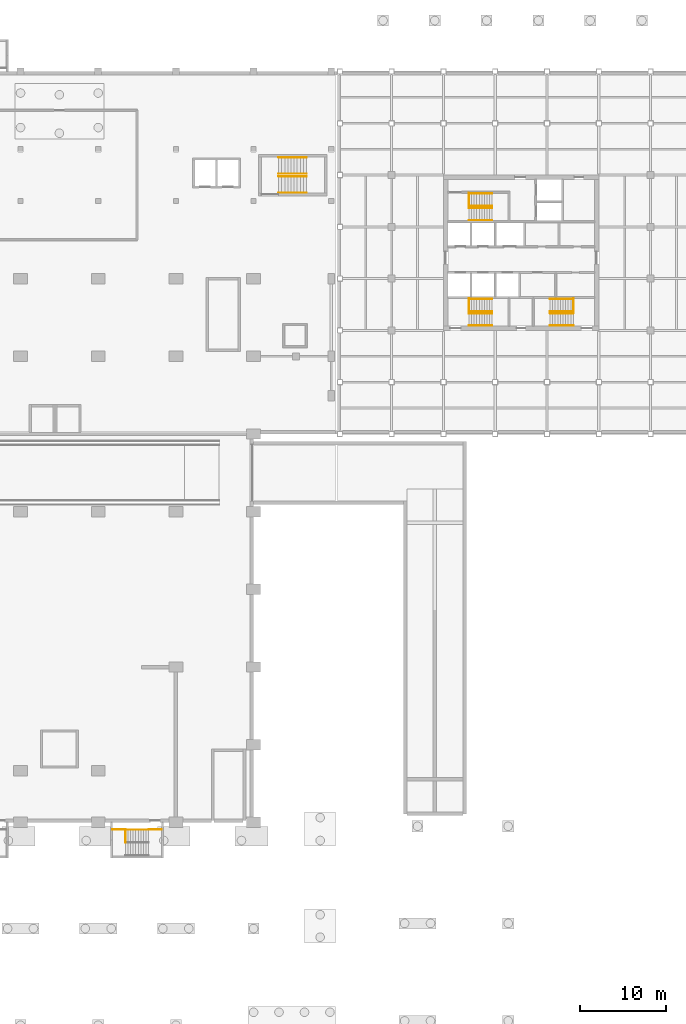
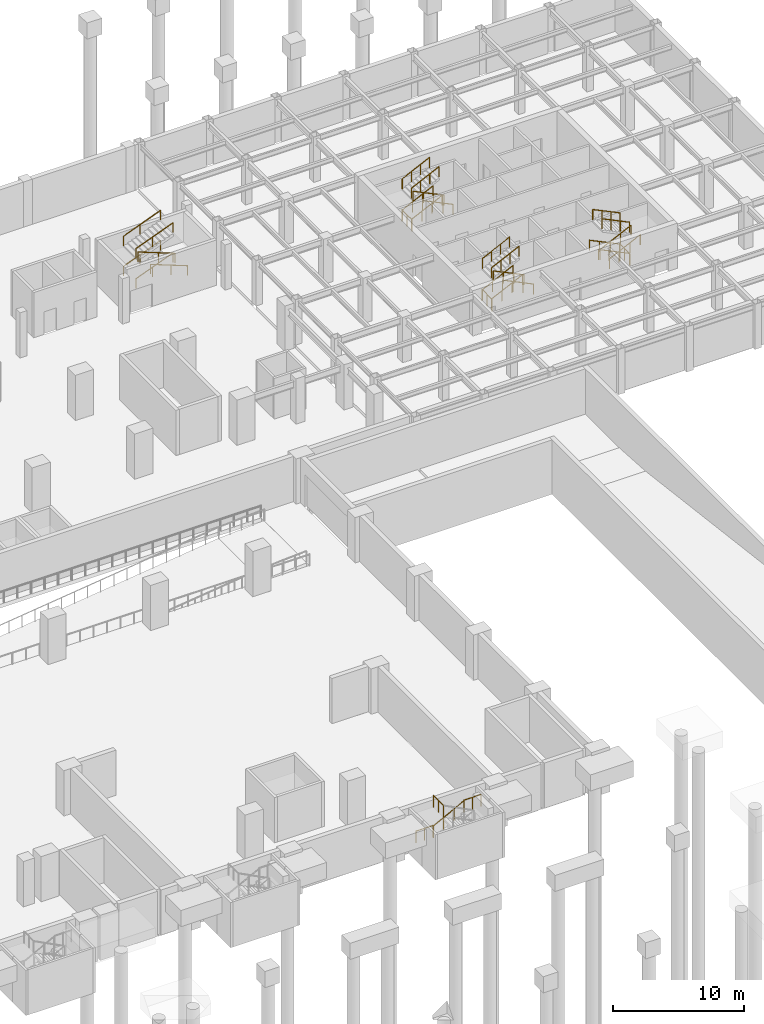
# One storey, part 26 of 27: 31 railings.
"""IFC4 building model written with IfcOpenShell, lengths in metres."""

from ifc_helpers import new_model, si_unit, direction, frame, origin, origin_2d, place, context, subcontext, project, spatial, circle, extrude, material, type_object, element, save


model = new_model("IFC4")

# Units and contexts
model_context = context("Model", 3, precision=1e-05, world=origin(), true_north=direction((0.0, 1.0)))
body_context = subcontext(model_context, "Body", "Model", "MODEL_VIEW")
ifc_project = project(units=[si_unit("LENGTHUNIT", "METRE"), si_unit("AREAUNIT", "SQUARE_METRE"), si_unit("VOLUMEUNIT", "CUBIC_METRE"), si_unit("PLANEANGLEUNIT", "RADIAN"), si_unit("MASSUNIT", "GRAM", prefix="KILO")], contexts=[model_context])

# Site, building, storey
site_placement = place(None, origin())
site = spatial("IfcSite", under=ifc_project, at=site_placement, CompositionType="ELEMENT")
building_placement = place(site_placement, origin())
building = spatial("IfcBuilding", under=site, at=building_placement, Name="Aravalli Gate Trade Fair Centre", CompositionType="ELEMENT")
storey_placement = place(building_placement, frame((0.0, 0.0, -4.199951171875)))
storey = spatial("IfcBuildingStorey", under=building, at=storey_placement, Name="B1", CompositionType="ELEMENT", Elevation=-4.199951171875)

# Railings
ifc_material = material(Name="Steel E350", Category="steel")
railing_type_1 = type_object("IfcRailingType", Name="Basement stair guard 1100", PredefinedType="GUARDRAIL", material=ifc_material)
railing_1_placement = place(storey_placement, frame((135.14990234375, 45.14990234375, 1.39990234375)))
element("IfcRailing", 1, at=railing_1_placement, inside=storey, type_object=railing_type_1, Name="Basement stair S7 guard B B1", PredefinedType="GUARDRAIL", context=body_context, shape_type="SweptSolid", body=[
    extrude(circle(Radius=0.02392578125, at=origin_2d()), frame((0.0, 0.0, 1.076171875), z_axis=(0.887748457143, 0.0, 0.460328878998), x_axis=(0.0, 1.0, 0.0)), (0.0, 0.0, 1.0), 3.04150390625),
    extrude(circle(Radius=0.02099609375, at=origin_2d()), origin(), (0.0, 0.0, 1.0), 1.052001953125),
    extrude(circle(Radius=0.02099609375, at=origin_2d()), frame((0.900146484375, 0.0, 0.466796875)), (0.0, 0.0, 1.0), 1.052001953125),
    extrude(circle(Radius=0.02099609375, at=origin_2d()), frame((1.800048828125, 0.0, 0.933349609375)), (0.0, 0.0, 1.0), 1.052001953125),
    extrude(circle(Radius=0.02099609375, at=origin_2d()), frame((2.7001953125, 0.0, 1.400146484375)), (0.0, 0.0, 1.0), 1.052001953125),
])
for number, where, name in (
    (2, (135.14990234375, 45.199951171875, 1.39990234375), "Basement stair S7 landing edge guard 1 B1"),
    (3, (139.35009765625, 45.199951171875, 2.800048828125), "Basement stair S7 landing edge guard 2 B1"),
):
    element("IfcRailing", number, at=place(storey_placement, frame(where)), inside=storey, type_object=railing_type_1, Name=name, PredefinedType="GUARDRAIL", context=body_context, shape_type="SweptSolid", body=[
        extrude(circle(Radius=0.02392578125, at=origin_2d()), frame((0.0, 0.0, 1.076171875), z_axis=(-1.0, 0.0, 0.0), x_axis=(0.0, -1.0, 0.0)), (0.0, 0.0, 1.0), 1.5),
        extrude(circle(Radius=0.02099609375, at=origin_2d()), origin(), (0.0, 0.0, 1.0), 1.052001953125),
        extrude(circle(Radius=0.02099609375, at=origin_2d()), frame((-0.75, 0.0, 0.0)), (0.0, 0.0, 1.0), 1.052001953125),
        extrude(circle(Radius=0.02099609375, at=origin_2d()), frame((-1.5, 0.0, 0.0)), (0.0, 0.0, 1.0), 1.052001953125),
    ])
railing_2_placement = place(storey_placement, frame((135.14990234375, 45.14990234375, 4.199951171875)))
element("IfcRailing", 4, at=railing_2_placement, inside=storey, type_object=railing_type_1, Name="Basement stair S7 well guard B1", PredefinedType="GUARDRAIL", context=body_context, shape_type="SweptSolid", body=[
    extrude(circle(Radius=0.02392578125, at=origin_2d()), frame((0.0, 0.0, 1.076171875), z_axis=(0.0, -1.0, 0.0), x_axis=(1.0, 0.0, 0.0)), (0.0, 0.0, 1.0), 1.5),
    extrude(circle(Radius=0.02099609375, at=origin_2d()), origin(), (0.0, 0.0, 1.0), 1.052001953125),
    extrude(circle(Radius=0.02099609375, at=origin_2d()), frame((0.0, -0.75, 0.0)), (0.0, 0.0, 1.0), 1.052001953125),
    extrude(circle(Radius=0.02099609375, at=origin_2d()), frame((0.0, -1.5, 0.0)), (0.0, 0.0, 1.0), 1.052001953125),
])
railing_type_2 = type_object("IfcRailingType", Name="Concourse stair handrail 900", PredefinedType="HANDRAIL", material=ifc_material)
for number, where, name in (
    (5, (152.89990234375, 123.050048828125, 0.139892578125), "Handrail ES B1 flight 1o"),
    (6, (152.89990234375, 121.14990234375, 0.139892578125), "Handrail ES B1 flight 1i"),
):
    element("IfcRailing", number, at=place(storey_placement, frame(where)), inside=storey, type_object=railing_type_2, Name=name, PredefinedType="HANDRAIL", context=body_context, shape_type="SweptSolid", body=[
        extrude(circle(Radius=0.02392578125, at=origin_2d()), frame((0.0, 0.0, 0.8759765625), z_axis=(0.932007636548, 0.0, 0.362438636759), x_axis=(0.0, 1.0, 0.0)), (0.0, 0.0, 1.0), 1.545166015625),
        extrude(circle(Radius=0.02392578125, at=origin_2d()), frame((1.440185546875, 0.0, 1.43603515625), z_axis=(0.931999926314, 0.0, 0.362458462933), x_axis=(0.0, 1.0, 0.0)), (0.0, 0.0, 1.0), 1.93115234375),
        extrude(circle(Radius=0.02099609375, at=origin_2d()), origin(), (0.0, 0.0, 1.0), 0.851806640625),
        extrude(circle(Radius=0.02099609375, at=origin_2d()), frame((1.440185546875, 0.0, 0.56005859375)), (0.0, 0.0, 1.0), 0.851806640625),
        extrude(circle(Radius=0.02099609375, at=origin_2d()), frame((3.239990234375, 0.0, 1.260009765625)), (0.0, 0.0, 1.0), 0.851806640625),
    ])
for number, where, name in (
    (7, (156.139892578125, 118.949951171875, 1.5400390625), "Handrail ES B1 flight 2o"),
    (8, (156.139892578125, 120.85009765625, 1.5400390625), "Handrail ES B1 flight 2i"),
):
    element("IfcRailing", number, at=place(storey_placement, frame(where)), inside=storey, type_object=railing_type_2, Name=name, PredefinedType="HANDRAIL", context=body_context, shape_type="SweptSolid", body=[
        extrude(circle(Radius=0.02392578125, at=origin_2d()), frame((0.0, 0.0, 0.8759765625), z_axis=(-0.932040254784, 0.0, 0.362354748088), x_axis=(0.0, -1.0, 0.0)), (0.0, 0.0, 1.0), 1.544921875),
        extrude(circle(Radius=0.02392578125, at=origin_2d()), frame((-1.43994140625, 0.0, 1.435546875), z_axis=(-0.931973829753, 0.0, 0.362525558624), x_axis=(0.0, -1.0, 0.0)), (0.0, 0.0, 1.0), 1.931396484375),
        extrude(circle(Radius=0.02099609375, at=origin_2d()), origin(), (0.0, 0.0, 1.0), 0.851806640625),
        extrude(circle(Radius=0.02099609375, at=origin_2d()), frame((-1.43994140625, 0.0, 0.559814453125)), (0.0, 0.0, 1.0), 0.851806640625),
        extrude(circle(Radius=0.02099609375, at=origin_2d()), frame((-3.239990234375, 0.0, 1.260009765625)), (0.0, 0.0, 1.0), 0.851806640625),
    ])
for number, where, name in (
    (9, (152.89990234375, 123.050048828125, 2.93994140625), "Handrail ES B1 flight 3o"),
    (10, (152.89990234375, 121.14990234375, 2.93994140625), "Handrail ES B1 flight 3i"),
):
    element("IfcRailing", number, at=place(storey_placement, frame(where)), inside=storey, type_object=railing_type_2, Name=name, PredefinedType="HANDRAIL", context=body_context, shape_type="SweptSolid", body=[
        extrude(circle(Radius=0.02392578125, at=origin_2d()), frame((0.0, 0.0, 0.8759765625), z_axis=(0.932007636548, 0.0, 0.362438636759), x_axis=(0.0, 1.0, 0.0)), (0.0, 0.0, 1.0), 1.545166015625),
        extrude(circle(Radius=0.02392578125, at=origin_2d()), frame((1.440185546875, 0.0, 1.43603515625), z_axis=(0.931999926314, 0.0, 0.362458462933), x_axis=(0.0, 1.0, 0.0)), (0.0, 0.0, 1.0), 1.93115234375),
        extrude(circle(Radius=0.02099609375, at=origin_2d()), origin(), (0.0, 0.0, 1.0), 0.851806640625),
        extrude(circle(Radius=0.02099609375, at=origin_2d()), frame((1.440185546875, 0.0, 0.56005859375)), (0.0, 0.0, 1.0), 0.851806640625),
        extrude(circle(Radius=0.02099609375, at=origin_2d()), frame((3.239990234375, 0.0, 1.260009765625)), (0.0, 0.0, 1.0), 0.851806640625),
    ])
railing_type_3 = type_object("IfcRailingType", Name="Wing stair handrail", PredefinedType="HANDRAIL", material=ifc_material)
for number, where, name in (
    (11, (174.949951171875, 105.219970703125, 0.144775390625), "Handrail S2 B1 1a"),
    (12, (174.949951171875, 106.639892578125, 0.144775390625), "Handrail S2 B1 1b"),
):
    element("IfcRailing", number, at=place(storey_placement, frame(where)), inside=storey, type_object=railing_type_3, Name=name, PredefinedType="HANDRAIL", context=body_context, shape_type="SweptSolid", body=[
        extrude(circle(Radius=0.02392578125, at=origin_2d()), frame((0.0, 0.0, 0.92578125), z_axis=(0.900546139499, 0.0, 0.434760452011), x_axis=(0.0, 1.0, 0.0)), (0.0, 0.0, 1.0), 2.998046875),
        extrude(circle(Radius=0.02099609375, at=origin_2d()), origin(), (0.0, 0.0, 1.0), 0.90185546875),
        extrude(circle(Radius=0.02099609375, at=origin_2d()), frame((0.89990234375, 0.0, 0.4345703125)), (0.0, 0.0, 1.0), 0.90185546875),
        extrude(circle(Radius=0.02099609375, at=origin_2d()), frame((1.800048828125, 0.0, 0.868896484375)), (0.0, 0.0, 1.0), 0.90185546875),
        extrude(circle(Radius=0.02099609375, at=origin_2d()), frame((2.699951171875, 0.0, 1.303466796875)), (0.0, 0.0, 1.0), 0.90185546875),
    ])
for number, where, name in (
    (13, (177.64990234375, 103.56005859375, 1.593017578125), "Handrail S2 B1 2a"),
    (14, (177.64990234375, 104.97998046875, 1.593017578125), "Handrail S2 B1 2b"),
):
    element("IfcRailing", number, at=place(storey_placement, frame(where)), inside=storey, type_object=railing_type_3, Name=name, PredefinedType="HANDRAIL", context=body_context, shape_type="SweptSolid", body=[
        extrude(circle(Radius=0.02392578125, at=origin_2d()), frame((0.0, 0.0, 0.92578125), z_axis=(-0.900546139499, 0.0, 0.434760452011), x_axis=(0.0, -1.0, 0.0)), (0.0, 0.0, 1.0), 2.998046875),
        extrude(circle(Radius=0.02099609375, at=origin_2d()), origin(), (0.0, 0.0, 1.0), 0.90185546875),
        extrude(circle(Radius=0.02099609375, at=origin_2d()), frame((-0.89990234375, 0.0, 0.4345703125)), (0.0, 0.0, 1.0), 0.90185546875),
        extrude(circle(Radius=0.02099609375, at=origin_2d()), frame((-1.800048828125, 0.0, 0.868896484375)), (0.0, 0.0, 1.0), 0.90185546875),
        extrude(circle(Radius=0.02099609375, at=origin_2d()), frame((-2.699951171875, 0.0, 1.303466796875)), (0.0, 0.0, 1.0), 0.90185546875),
    ])
for number, where, name in (
    (15, (174.949951171875, 105.219970703125, 3.041259765625), "Handrail S2 B1 3a"),
    (16, (174.949951171875, 106.639892578125, 3.041259765625), "Handrail S2 B1 3b"),
):
    element("IfcRailing", number, at=place(storey_placement, frame(where)), inside=storey, type_object=railing_type_3, Name=name, PredefinedType="HANDRAIL", context=body_context, shape_type="SweptSolid", body=[
        extrude(circle(Radius=0.02392578125, at=origin_2d()), frame((0.0, 0.0, 0.92578125), z_axis=(0.900551636365, 0.0, 0.434749065831), x_axis=(0.0, 1.0, 0.0)), (0.0, 0.0, 1.0), 2.665283203125),
        extrude(circle(Radius=0.02099609375, at=origin_2d()), origin(), (0.0, 0.0, 1.0), 0.90185546875),
        extrude(circle(Radius=0.02099609375, at=origin_2d()), frame((0.800048828125, 0.0, 0.38623046875)), (0.0, 0.0, 1.0), 0.90185546875),
        extrude(circle(Radius=0.02099609375, at=origin_2d()), frame((1.60009765625, 0.0, 0.7724609375)), (0.0, 0.0, 1.0), 0.90185546875),
        extrude(circle(Radius=0.02099609375, at=origin_2d()), frame((2.400146484375, 0.0, 1.15869140625)), (0.0, 0.0, 1.0), 0.90185546875),
    ])
for number, where, name in (
    (17, (187.050048828125, 105.219970703125, 0.144775390625), "Handrail S1 B1 1a"),
    (18, (187.050048828125, 106.639892578125, 0.144775390625), "Handrail S1 B1 1b"),
):
    element("IfcRailing", number, at=place(storey_placement, frame(where)), inside=storey, type_object=railing_type_3, Name=name, PredefinedType="HANDRAIL", context=body_context, shape_type="SweptSolid", body=[
        extrude(circle(Radius=0.02392578125, at=origin_2d()), frame((0.0, 0.0, 0.92578125), z_axis=(-0.900546139499, 0.0, 0.434760452011), x_axis=(0.0, -1.0, 0.0)), (0.0, 0.0, 1.0), 2.998046875),
        extrude(circle(Radius=0.02099609375, at=origin_2d()), origin(), (0.0, 0.0, 1.0), 0.90185546875),
        extrude(circle(Radius=0.02099609375, at=origin_2d()), frame((-0.89990234375, 0.0, 0.4345703125)), (0.0, 0.0, 1.0), 0.90185546875),
        extrude(circle(Radius=0.02099609375, at=origin_2d()), frame((-1.800048828125, 0.0, 0.868896484375)), (0.0, 0.0, 1.0), 0.90185546875),
        extrude(circle(Radius=0.02099609375, at=origin_2d()), frame((-2.699951171875, 0.0, 1.303466796875)), (0.0, 0.0, 1.0), 0.90185546875),
    ])
for number, where, name in (
    (19, (184.35009765625, 103.56005859375, 1.593017578125), "Handrail S1 B1 2a"),
    (20, (184.35009765625, 104.97998046875, 1.593017578125), "Handrail S1 B1 2b"),
):
    element("IfcRailing", number, at=place(storey_placement, frame(where)), inside=storey, type_object=railing_type_3, Name=name, PredefinedType="HANDRAIL", context=body_context, shape_type="SweptSolid", body=[
        extrude(circle(Radius=0.02392578125, at=origin_2d()), frame((0.0, 0.0, 0.92578125), z_axis=(0.900546139499, 0.0, 0.434760452011), x_axis=(0.0, 1.0, 0.0)), (0.0, 0.0, 1.0), 2.998046875),
        extrude(circle(Radius=0.02099609375, at=origin_2d()), origin(), (0.0, 0.0, 1.0), 0.90185546875),
        extrude(circle(Radius=0.02099609375, at=origin_2d()), frame((0.89990234375, 0.0, 0.4345703125)), (0.0, 0.0, 1.0), 0.90185546875),
        extrude(circle(Radius=0.02099609375, at=origin_2d()), frame((1.800048828125, 0.0, 0.868896484375)), (0.0, 0.0, 1.0), 0.90185546875),
        extrude(circle(Radius=0.02099609375, at=origin_2d()), frame((2.699951171875, 0.0, 1.303466796875)), (0.0, 0.0, 1.0), 0.90185546875),
    ])
for number, where, name in (
    (21, (187.050048828125, 105.219970703125, 3.041259765625), "Handrail S1 B1 3a"),
    (22, (187.050048828125, 106.639892578125, 3.041259765625), "Handrail S1 B1 3b"),
):
    element("IfcRailing", number, at=place(storey_placement, frame(where)), inside=storey, type_object=railing_type_3, Name=name, PredefinedType="HANDRAIL", context=body_context, shape_type="SweptSolid", body=[
        extrude(circle(Radius=0.02392578125, at=origin_2d()), frame((0.0, 0.0, 0.92578125), z_axis=(-0.900551636365, 0.0, 0.434749065831), x_axis=(0.0, -1.0, 0.0)), (0.0, 0.0, 1.0), 2.665283203125),
        extrude(circle(Radius=0.02099609375, at=origin_2d()), origin(), (0.0, 0.0, 1.0), 0.90185546875),
        extrude(circle(Radius=0.02099609375, at=origin_2d()), frame((-0.800048828125, 0.0, 0.38623046875)), (0.0, 0.0, 1.0), 0.90185546875),
        extrude(circle(Radius=0.02099609375, at=origin_2d()), frame((-1.60009765625, 0.0, 0.7724609375)), (0.0, 0.0, 1.0), 0.90185546875),
        extrude(circle(Radius=0.02099609375, at=origin_2d()), frame((-2.400146484375, 0.0, 1.15869140625)), (0.0, 0.0, 1.0), 0.90185546875),
    ])
for number, where, name in (
    (23, (174.949951171875, 117.419921875, 0.144775390625), "Handrail FFS B1 1a"),
    (24, (174.949951171875, 118.840087890625, 0.144775390625), "Handrail FFS B1 1b"),
):
    element("IfcRailing", number, at=place(storey_placement, frame(where)), inside=storey, type_object=railing_type_3, Name=name, PredefinedType="HANDRAIL", context=body_context, shape_type="SweptSolid", body=[
        extrude(circle(Radius=0.02392578125, at=origin_2d()), frame((0.0, 0.0, 0.92578125), z_axis=(0.900546139499, 0.0, 0.434760452011), x_axis=(0.0, 1.0, 0.0)), (0.0, 0.0, 1.0), 2.998046875),
        extrude(circle(Radius=0.02099609375, at=origin_2d()), origin(), (0.0, 0.0, 1.0), 0.90185546875),
        extrude(circle(Radius=0.02099609375, at=origin_2d()), frame((0.89990234375, 0.0, 0.4345703125)), (0.0, 0.0, 1.0), 0.90185546875),
        extrude(circle(Radius=0.02099609375, at=origin_2d()), frame((1.800048828125, 0.0, 0.868896484375)), (0.0, 0.0, 1.0), 0.90185546875),
        extrude(circle(Radius=0.02099609375, at=origin_2d()), frame((2.699951171875, 0.0, 1.303466796875)), (0.0, 0.0, 1.0), 0.90185546875),
    ])
for number, where, name in (
    (25, (177.64990234375, 115.760009765625, 1.593017578125), "Handrail FFS B1 2a"),
    (26, (177.64990234375, 117.179931640625, 1.593017578125), "Handrail FFS B1 2b"),
):
    element("IfcRailing", number, at=place(storey_placement, frame(where)), inside=storey, type_object=railing_type_3, Name=name, PredefinedType="HANDRAIL", context=body_context, shape_type="SweptSolid", body=[
        extrude(circle(Radius=0.02392578125, at=origin_2d()), frame((0.0, 0.0, 0.92578125), z_axis=(-0.900546139499, 0.0, 0.434760452011), x_axis=(0.0, -1.0, 0.0)), (0.0, 0.0, 1.0), 2.998046875),
        extrude(circle(Radius=0.02099609375, at=origin_2d()), origin(), (0.0, 0.0, 1.0), 0.90185546875),
        extrude(circle(Radius=0.02099609375, at=origin_2d()), frame((-0.89990234375, 0.0, 0.4345703125)), (0.0, 0.0, 1.0), 0.90185546875),
        extrude(circle(Radius=0.02099609375, at=origin_2d()), frame((-1.800048828125, 0.0, 0.868896484375)), (0.0, 0.0, 1.0), 0.90185546875),
        extrude(circle(Radius=0.02099609375, at=origin_2d()), frame((-2.699951171875, 0.0, 1.303466796875)), (0.0, 0.0, 1.0), 0.90185546875),
    ])
for number, where, name in (
    (27, (174.949951171875, 117.419921875, 3.041259765625), "Handrail FFS B1 3a"),
    (28, (174.949951171875, 118.840087890625, 3.041259765625), "Handrail FFS B1 3b"),
):
    element("IfcRailing", number, at=place(storey_placement, frame(where)), inside=storey, type_object=railing_type_3, Name=name, PredefinedType="HANDRAIL", context=body_context, shape_type="SweptSolid", body=[
        extrude(circle(Radius=0.02392578125, at=origin_2d()), frame((0.0, 0.0, 0.92578125), z_axis=(0.900551636365, 0.0, 0.434749065831), x_axis=(0.0, 1.0, 0.0)), (0.0, 0.0, 1.0), 2.665283203125),
        extrude(circle(Radius=0.02099609375, at=origin_2d()), origin(), (0.0, 0.0, 1.0), 0.90185546875),
        extrude(circle(Radius=0.02099609375, at=origin_2d()), frame((0.800048828125, 0.0, 0.38623046875)), (0.0, 0.0, 1.0), 0.90185546875),
        extrude(circle(Radius=0.02099609375, at=origin_2d()), frame((1.60009765625, 0.0, 0.7724609375)), (0.0, 0.0, 1.0), 0.90185546875),
        extrude(circle(Radius=0.02099609375, at=origin_2d()), frame((2.400146484375, 0.0, 1.15869140625)), (0.0, 0.0, 1.0), 0.90185546875),
    ])
railing_type_4 = type_object("IfcRailingType", Name="Wing stair roof guard", PredefinedType="GUARDRAIL", material=ifc_material)
for number, where, name in (
    (29, (174.949951171875, 105.159912109375, 0.0), "Guard S2 landing B1"),
    (30, (187.050048828125, 105.159912109375, 0.0), "Guard S1 landing B1"),
):
    element("IfcRailing", number, at=place(storey_placement, frame(where)), inside=storey, type_object=railing_type_4, Name=name, PredefinedType="GUARDRAIL", context=body_context, shape_type="SweptSolid", body=[
        extrude(circle(Radius=0.02392578125, at=origin_2d()), frame((0.0, 0.0, 1.076171875), z_axis=(0.0, 1.0, 0.0), x_axis=(-1.0, 0.0, 0.0)), (0.0, 0.0, 1.0), 1.5400390625),
        extrude(circle(Radius=0.02099609375, at=origin_2d()), origin(), (0.0, 0.0, 1.0), 1.052001953125),
        extrude(circle(Radius=0.02099609375, at=origin_2d()), frame((0.0, 0.77001953125, 0.0)), (0.0, 0.0, 1.0), 1.052001953125),
        extrude(circle(Radius=0.02099609375, at=origin_2d()), frame((0.0, 1.5400390625, 0.0)), (0.0, 0.0, 1.0), 1.052001953125),
    ])
railing_3_placement = place(storey_placement, frame((174.949951171875, 117.360107421875, 0.0)))
element("IfcRailing", 31, at=railing_3_placement, inside=storey, type_object=railing_type_4, Name="Guard FFS landing B1", PredefinedType="GUARDRAIL", context=body_context, shape_type="SweptSolid", body=[
    extrude(circle(Radius=0.02392578125, at=origin_2d()), frame((0.0, 0.0, 1.076171875), z_axis=(0.0, 1.0, 0.0), x_axis=(-1.0, 0.0, 0.0)), (0.0, 0.0, 1.0), 1.539794921875),
    extrude(circle(Radius=0.02099609375, at=origin_2d()), origin(), (0.0, 0.0, 1.0), 1.052001953125),
    extrude(circle(Radius=0.02099609375, at=origin_2d()), frame((0.0, 0.77001953125, 0.0)), (0.0, 0.0, 1.0), 1.052001953125),
    extrude(circle(Radius=0.02099609375, at=origin_2d()), frame((0.0, 1.539794921875, 0.0)), (0.0, 0.0, 1.0), 1.052001953125),
])

save(model, "model.ifc")
